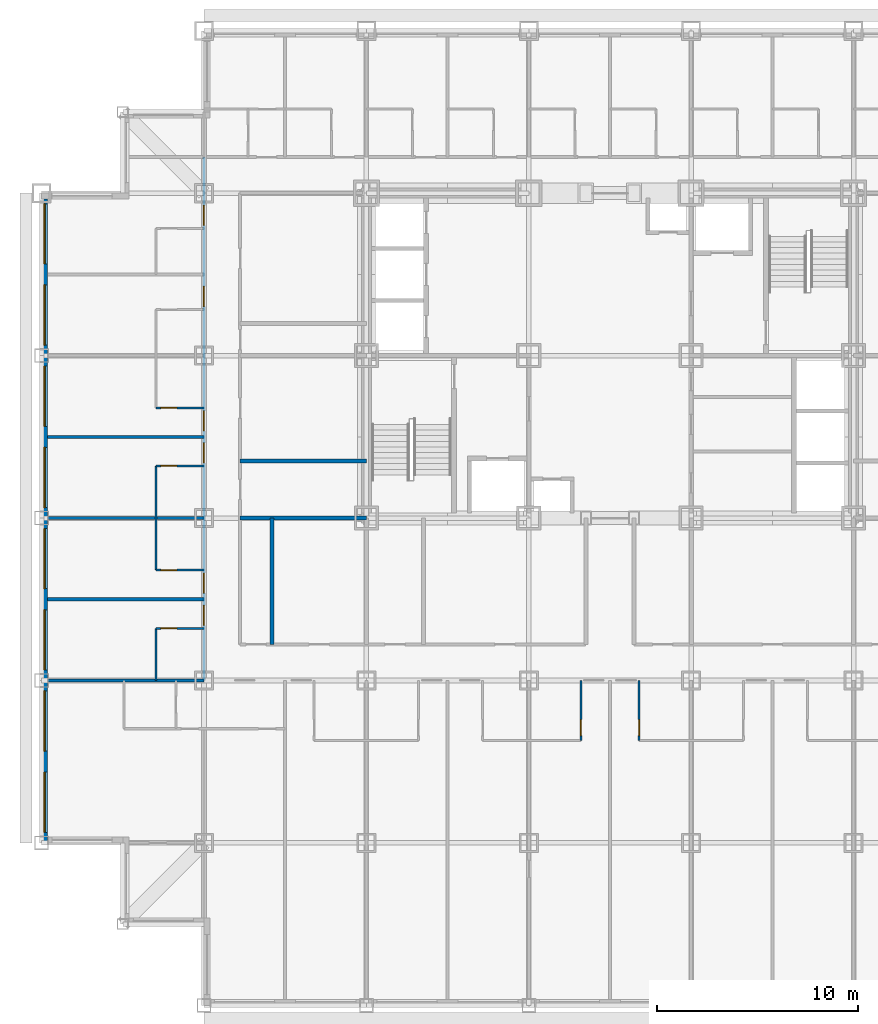
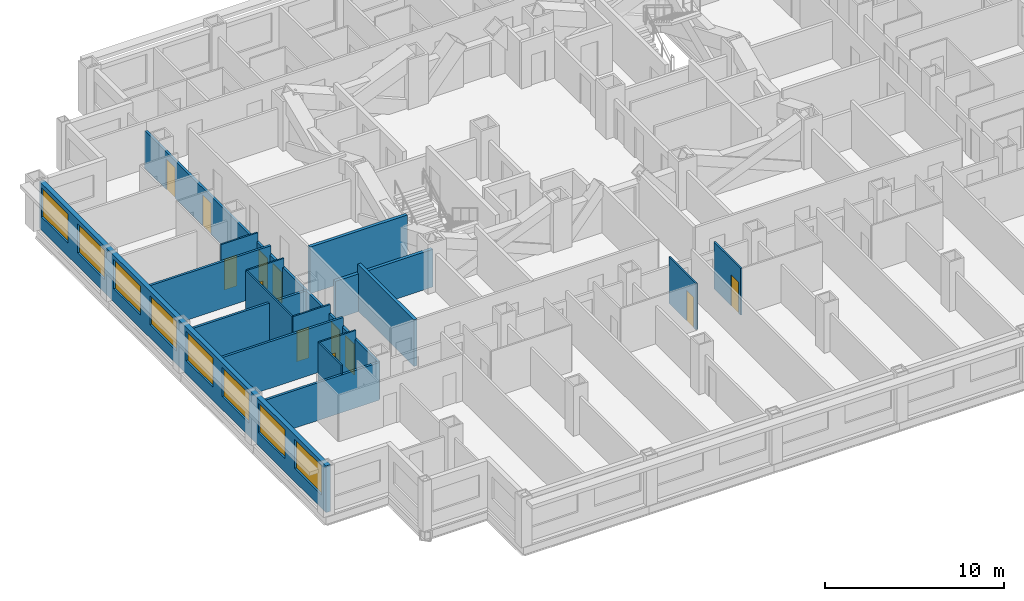
# One storey, part 4 of 12: 17 walls, 12 doors, 8 windows, 20 openings.
"""IFC4 building model written with IfcOpenShell, lengths in metres."""

from ifc_helpers import new_model, si_unit, direction, frame, frame_2d, origin, place, context, subcontext, project, spatial, rectangle, extrude, material, layer, layer_set, type_object, element, fill, save


model = new_model("IFC4")

# Units and contexts
model_context = context("Model", 3, precision=1e-05, world=origin(), true_north=direction((0.0, 1.0)))
body_context = subcontext(model_context, "Body", "Model", "MODEL_VIEW")
ifc_project = project(units=[si_unit("LENGTHUNIT", "METRE"), si_unit("AREAUNIT", "SQUARE_METRE"), si_unit("VOLUMEUNIT", "CUBIC_METRE"), si_unit("PLANEANGLEUNIT", "RADIAN"), si_unit("MASSUNIT", "GRAM", prefix="KILO")], contexts=[model_context])

# Site, building, storey
site_placement = place(None, origin())
site = spatial("IfcSite", under=ifc_project, at=site_placement, CompositionType="ELEMENT")
building_placement = place(site_placement, origin())
building = spatial("IfcBuilding", under=site, at=building_placement, Name="Kopane Lantern Tower", CompositionType="ELEMENT")
storey_placement = place(building_placement, frame((0.0, 0.0, 43.199951171875)))
storey = spatial("IfcBuildingStorey", under=building, at=storey_placement, Name="L09", CompositionType="ELEMENT", Elevation=43.199951171875)

# Wall, opening, door
ifc_material_1 = material(Name="Moisture-resistant board on steel studs", Category="steel")
ifc_layer_1 = layer(ifc_material_1, 0.10009765625)
ifc_layer_set_1 = layer_set([ifc_layer_1], Name="BATHROOM WALL 100")
wall_type_1 = type_object("IfcWallType", Name="BATHROOM WALL 100", PredefinedType="PARTITIONING", material=ifc_layer_set_1)
wall_1_placement = place(storey_placement, frame((26.89990234375, 16.199951171875, 0.0), z_axis=(0.0, 0.0, 1.0), x_axis=(0.0, -1.0, 0.0)))
wall_1 = element("IfcWall", 1, at=wall_1_placement, inside=storey, type_object=wall_type_1, Name="Bathroom Wall 100 L09", PredefinedType="PARTITIONING", context=body_context, shape_type="SweptSolid", body=[
    extrude(rectangle(XDim=3.0, YDim=0.10009765625, at=frame_2d((1.5, 0.0))), origin(), (0.0, 0.0, 1.0), 3.18994140625),
])
opening_1_placement = place(wall_1_placement, frame((1.949951171875, 0.0, 0.0)))
opening_1 = element("IfcOpeningElement", 2, at=opening_1_placement, cuts=wall_1, Name="Opening L09-022", PredefinedType="OPENING", context=body_context, shape_type="SweptSolid", body=[
    extrude(rectangle(XDim=0.800048828125, YDim=2.10009765625, at=frame_2d((0.39990234375, 1.050048828125))), frame((0.0, 0.06005859375, 0.0), z_axis=(0.0, -1.0, 0.0), x_axis=(1.0, 0.0, 0.0)), (0.0, 0.0, 1.0), 0.1201171875),
])
ifc_material_2 = material(Name="Timber door set", Category="wood")
door_type_1 = type_object("IfcDoorType", Name="DOOR D2 800x2100", OperationType="SINGLE_SWING_LEFT", PredefinedType="DOOR", material=ifc_material_2)
door_1_placement = place(opening_1_placement, origin())
door_1 = element("IfcDoor", 3, at=door_1_placement, inside=storey, type_object=door_type_1, Name="Door L09-022", OperationType="SINGLE_SWING_LEFT", OverallHeight=2.10009765625, OverallWidth=0.800048828125, PredefinedType="DOOR", context=body_context, shape_type="SweptSolid", body=[
    extrude(rectangle(XDim=0.800048828125, YDim=2.10009765625, at=frame_2d((0.39990234375, 1.050048828125))), frame((0.0, 0.02490234375, 0.0), z_axis=(0.0, -1.0, 0.0), x_axis=(1.0, 0.0, 0.0)), (0.0, 0.0, 1.0), 0.050048828125),
])
fill(opening_1, door_1)

wall_2_placement = place(storey_placement, frame((29.800048828125, 16.199951171875, 0.0), z_axis=(0.0, 0.0, 1.0), x_axis=(0.0, -1.0, 0.0)))
wall_2 = element("IfcWall", 4, at=wall_2_placement, inside=storey, type_object=wall_type_1, Name="Bathroom Wall 100 L09", PredefinedType="PARTITIONING", context=body_context, shape_type="SweptSolid", body=[
    extrude(rectangle(XDim=3.0, YDim=0.10009765625, at=frame_2d((1.5, 0.0))), origin(), (0.0, 0.0, 1.0), 3.18994140625),
])
opening_2_placement = place(wall_2_placement, frame((1.949951171875, 0.0, 0.0)))
opening_2 = element("IfcOpeningElement", 5, at=opening_2_placement, cuts=wall_2, Name="Opening L09-025", PredefinedType="OPENING", context=body_context, shape_type="SweptSolid", body=[
    extrude(rectangle(XDim=0.800048828125, YDim=2.10009765625, at=frame_2d((0.39990234375, 1.050048828125))), frame((0.0, 0.06005859375, 0.0), z_axis=(0.0, -1.0, 0.0), x_axis=(1.0, 0.0, 0.0)), (0.0, 0.0, 1.0), 0.1201171875),
])
door_2_placement = place(opening_2_placement, origin())
door_2 = element("IfcDoor", 6, at=door_2_placement, inside=storey, type_object=door_type_1, Name="Door L09-025", OperationType="SINGLE_SWING_RIGHT", OverallHeight=2.10009765625, OverallWidth=0.800048828125, PredefinedType="DOOR", context=body_context, shape_type="SweptSolid", body=[
    extrude(rectangle(XDim=0.800048828125, YDim=2.10009765625, at=frame_2d((0.39990234375, 1.050048828125))), frame((0.0, 0.02490234375, 0.0), z_axis=(0.0, -1.0, 0.0), x_axis=(1.0, 0.0, 0.0)), (0.0, 0.0, 1.0), 0.050048828125),
])
fill(opening_2, door_2)

# Wall
wall_3_placement = place(storey_placement, frame((5.699951171875, 16.199951171875, 0.0), z_axis=(0.0, 0.0, 1.0), x_axis=(0.0, 1.0, 0.0)))
element("IfcWall", 7, at=wall_3_placement, inside=storey, type_object=wall_type_1, Name="Bathroom Wall 100 L09", PredefinedType="PARTITIONING", context=body_context, shape_type="SweptSolid", body=[
    extrude(rectangle(XDim=2.60009765625, YDim=0.10009765625, at=frame_2d((1.300048828125, 0.0))), origin(), (0.0, 0.0, 1.0), 3.18994140625),
])

# Wall, opening, door
wall_4_placement = place(storey_placement, frame((8.10009765625, 18.800048828125, 0.0), z_axis=(0.0, 0.0, 1.0), x_axis=(-1.0, 0.0, 0.0)))
wall_4 = element("IfcWall", 8, at=wall_4_placement, inside=storey, type_object=wall_type_1, Name="Bathroom Wall 100 L09", PredefinedType="PARTITIONING", context=body_context, shape_type="SweptSolid", body=[
    extrude(rectangle(XDim=2.400146484375, YDim=0.10009765625, at=frame_2d((1.2001953125, 0.0))), origin(), (0.0, 0.0, 1.0), 3.18994140625),
])
opening_3_placement = place(wall_4_placement, frame((1.35009765625, 0.0, 0.0)))
opening_3 = element("IfcOpeningElement", 9, at=opening_3_placement, cuts=wall_4, Name="Opening L09-049", PredefinedType="OPENING", context=body_context, shape_type="SweptSolid", body=[
    extrude(rectangle(XDim=0.800048828125, YDim=2.10009765625, at=frame_2d((0.39990234375, 1.050048828125))), frame((0.0, 0.06005859375, 0.0), z_axis=(0.0, -1.0, 0.0), x_axis=(1.0, 0.0, 0.0)), (0.0, 0.0, 1.0), 0.1201171875),
])
door_3_placement = place(opening_3_placement, origin())
door_3 = element("IfcDoor", 10, at=door_3_placement, inside=storey, type_object=door_type_1, Name="Door L09-049", OperationType="SINGLE_SWING_RIGHT", OverallHeight=2.10009765625, OverallWidth=0.800048828125, PredefinedType="DOOR", context=body_context, shape_type="SweptSolid", body=[
    extrude(rectangle(XDim=0.800048828125, YDim=2.10009765625, at=frame_2d((0.39990234375, 1.050048828125))), frame((0.0, 0.02490234375, 0.0), z_axis=(0.0, -1.0, 0.0), x_axis=(1.0, 0.0, 0.0)), (0.0, 0.0, 1.0), 0.050048828125),
])
fill(opening_3, door_3)

# Wall
wall_5_placement = place(storey_placement, frame((5.699951171875, 21.699951171875, 0.0), z_axis=(0.0, 0.0, 1.0), x_axis=(0.0, 1.0, 0.0)))
element("IfcWall", 11, at=wall_5_placement, inside=storey, type_object=wall_type_1, Name="Bathroom Wall 100 L09", PredefinedType="PARTITIONING", context=body_context, shape_type="SweptSolid", body=[
    extrude(rectangle(XDim=5.199951171875, YDim=0.10009765625, at=frame_2d((2.60009765625, 0.0))), origin(), (0.0, 0.0, 1.0), 3.18994140625),
])

# Wall, opening, door
wall_6_placement = place(storey_placement, frame((8.10009765625, 21.699951171875, 0.0), z_axis=(0.0, 0.0, 1.0), x_axis=(-1.0, 0.0, 0.0)))
wall_6 = element("IfcWall", 12, at=wall_6_placement, inside=storey, type_object=wall_type_1, Name="Bathroom Wall 100 L09", PredefinedType="PARTITIONING", context=body_context, shape_type="SweptSolid", body=[
    extrude(rectangle(XDim=2.400146484375, YDim=0.10009765625, at=frame_2d((1.2001953125, 0.0))), origin(), (0.0, 0.0, 1.0), 3.18994140625),
])
opening_4_placement = place(wall_6_placement, frame((1.35009765625, 0.0, 0.0)))
opening_4 = element("IfcOpeningElement", 13, at=opening_4_placement, cuts=wall_6, Name="Opening L09-051", PredefinedType="OPENING", context=body_context, shape_type="SweptSolid", body=[
    extrude(rectangle(XDim=0.800048828125, YDim=2.10009765625, at=frame_2d((0.39990234375, 1.050048828125))), frame((0.0, 0.06005859375, 0.0), z_axis=(0.0, -1.0, 0.0), x_axis=(1.0, 0.0, 0.0)), (0.0, 0.0, 1.0), 0.1201171875),
])
door_4_placement = place(opening_4_placement, origin())
door_4 = element("IfcDoor", 14, at=door_4_placement, inside=storey, type_object=door_type_1, Name="Door L09-051", OperationType="SINGLE_SWING_LEFT", OverallHeight=2.10009765625, OverallWidth=0.800048828125, PredefinedType="DOOR", context=body_context, shape_type="SweptSolid", body=[
    extrude(rectangle(XDim=0.800048828125, YDim=2.10009765625, at=frame_2d((0.39990234375, 1.050048828125))), frame((0.0, 0.02490234375, 0.0), z_axis=(0.0, -1.0, 0.0), x_axis=(1.0, 0.0, 0.0)), (0.0, 0.0, 1.0), 0.050048828125),
])
fill(opening_4, door_4)

wall_7_placement = place(storey_placement, frame((8.10009765625, 26.89990234375, 0.0), z_axis=(0.0, 0.0, 1.0), x_axis=(-1.0, 0.0, 0.0)))
wall_7 = element("IfcWall", 15, at=wall_7_placement, inside=storey, type_object=wall_type_1, Name="Bathroom Wall 100 L09", PredefinedType="PARTITIONING", context=body_context, shape_type="SweptSolid", body=[
    extrude(rectangle(XDim=2.400146484375, YDim=0.10009765625, at=frame_2d((1.2001953125, 0.0))), origin(), (0.0, 0.0, 1.0), 3.18994140625),
])
opening_5_placement = place(wall_7_placement, frame((1.35009765625, 0.0, 0.0)))
opening_5 = element("IfcOpeningElement", 16, at=opening_5_placement, cuts=wall_7, Name="Opening L09-053", PredefinedType="OPENING", context=body_context, shape_type="SweptSolid", body=[
    extrude(rectangle(XDim=0.800048828125, YDim=2.10009765625, at=frame_2d((0.39990234375, 1.050048828125))), frame((0.0, 0.06005859375, 0.0), z_axis=(0.0, -1.0, 0.0), x_axis=(1.0, 0.0, 0.0)), (0.0, 0.0, 1.0), 0.1201171875),
])
door_5_placement = place(opening_5_placement, origin())
door_5 = element("IfcDoor", 17, at=door_5_placement, inside=storey, type_object=door_type_1, Name="Door L09-053", OperationType="SINGLE_SWING_RIGHT", OverallHeight=2.10009765625, OverallWidth=0.800048828125, PredefinedType="DOOR", context=body_context, shape_type="SweptSolid", body=[
    extrude(rectangle(XDim=0.800048828125, YDim=2.10009765625, at=frame_2d((0.39990234375, 1.050048828125))), frame((0.0, 0.02490234375, 0.0), z_axis=(0.0, -1.0, 0.0), x_axis=(1.0, 0.0, 0.0)), (0.0, 0.0, 1.0), 0.050048828125),
])
fill(opening_5, door_5)

wall_8_placement = place(storey_placement, frame((8.10009765625, 29.800048828125, 0.0), z_axis=(0.0, 0.0, 1.0), x_axis=(-1.0, 0.0, 0.0)))
wall_8 = element("IfcWall", 18, at=wall_8_placement, inside=storey, type_object=wall_type_1, Name="Bathroom Wall 100 L09", PredefinedType="PARTITIONING", context=body_context, shape_type="SweptSolid", body=[
    extrude(rectangle(XDim=2.400146484375, YDim=0.10009765625, at=frame_2d((1.2001953125, 0.0))), origin(), (0.0, 0.0, 1.0), 3.18994140625),
])
opening_6_placement = place(wall_8_placement, frame((1.35009765625, 0.0, 0.0)))
opening_6 = element("IfcOpeningElement", 19, at=opening_6_placement, cuts=wall_8, Name="Opening L09-055", PredefinedType="OPENING", context=body_context, shape_type="SweptSolid", body=[
    extrude(rectangle(XDim=0.800048828125, YDim=2.10009765625, at=frame_2d((0.39990234375, 1.050048828125))), frame((0.0, 0.06005859375, 0.0), z_axis=(0.0, -1.0, 0.0), x_axis=(1.0, 0.0, 0.0)), (0.0, 0.0, 1.0), 0.1201171875),
])
door_6_placement = place(opening_6_placement, origin())
door_6 = element("IfcDoor", 20, at=door_6_placement, inside=storey, type_object=door_type_1, Name="Door L09-055", OperationType="SINGLE_SWING_LEFT", OverallHeight=2.10009765625, OverallWidth=0.800048828125, PredefinedType="DOOR", context=body_context, shape_type="SweptSolid", body=[
    extrude(rectangle(XDim=0.800048828125, YDim=2.10009765625, at=frame_2d((0.39990234375, 1.050048828125))), frame((0.0, 0.02490234375, 0.0), z_axis=(0.0, -1.0, 0.0), x_axis=(1.0, 0.0, 0.0)), (0.0, 0.0, 1.0), 0.050048828125),
])
fill(opening_6, door_6)

# Wall, openings, doors
ifc_material_3 = material(Name="Gypsum board on steel studs", Category="steel")
ifc_layer_2 = layer(ifc_material_3, 0.14990234375)
ifc_layer_set_2 = layer_set([ifc_layer_2], Name="CORRIDOR WALL 150 EI 60")
wall_type_2 = type_object("IfcWallType", Name="CORRIDOR WALL 150 EI 60", PredefinedType="PARTITIONING", material=ifc_layer_set_2)
wall_9_placement = place(storey_placement, frame((8.10009765625, 16.199951171875, 0.0), z_axis=(0.0, 0.0, 1.0), x_axis=(0.0, 1.0, 0.0)))
wall_9 = element("IfcWall", 21, at=wall_9_placement, inside=storey, type_object=wall_type_2, Name="Corridor Wall 150 Ei 60 L09", PredefinedType="PARTITIONING", context=body_context, shape_type="SweptSolid", body=[
    extrude(rectangle(XDim=26.10009765625, YDim=0.14990234375, at=frame_2d((13.050048828125, 0.0))), origin(), (0.0, 0.0, 1.0), 2.577880859375),
])
opening_7_placement = place(wall_9_placement, frame((2.75, 0.0, 0.0)))
opening_7 = element("IfcOpeningElement", 22, at=opening_7_placement, cuts=wall_9, Name="Opening L09-050", PredefinedType="OPENING", context=body_context, shape_type="SweptSolid", body=[
    extrude(rectangle(XDim=1.0, YDim=2.10009765625, at=frame_2d((0.5, 1.050048828125))), frame((0.0, 0.0849609375, 0.0), z_axis=(0.0, -1.0, 0.0), x_axis=(1.0, 0.0, 0.0)), (0.0, 0.0, 1.0), 0.169921875),
])
opening_8_placement = place(wall_9_placement, frame((4.35009765625, 0.0, 0.0)))
opening_8 = element("IfcOpeningElement", 23, at=opening_8_placement, cuts=wall_9, Name="Opening L09-052", PredefinedType="OPENING", context=body_context, shape_type="SweptSolid", body=[
    extrude(rectangle(XDim=1.0, YDim=2.10009765625, at=frame_2d((0.5, 1.050048828125))), frame((0.0, 0.0849609375, 0.0), z_axis=(0.0, -1.0, 0.0), x_axis=(1.0, 0.0, 0.0)), (0.0, 0.0, 1.0), 0.169921875),
])
opening_9_placement = place(wall_9_placement, frame((10.85009765625, 0.0, 0.0)))
opening_9 = element("IfcOpeningElement", 24, at=opening_9_placement, cuts=wall_9, Name="Opening L09-054", PredefinedType="OPENING", context=body_context, shape_type="SweptSolid", body=[
    extrude(rectangle(XDim=1.0, YDim=2.10009765625, at=frame_2d((0.5, 1.050048828125))), frame((0.0, 0.0849609375, 0.0), z_axis=(0.0, -1.0, 0.0), x_axis=(1.0, 0.0, 0.0)), (0.0, 0.0, 1.0), 0.169921875),
])
opening_10_placement = place(wall_9_placement, frame((12.449951171875, 0.0, 0.0)))
opening_10 = element("IfcOpeningElement", 25, at=opening_10_placement, cuts=wall_9, Name="Opening L09-056", PredefinedType="OPENING", context=body_context, shape_type="SweptSolid", body=[
    extrude(rectangle(XDim=1.0, YDim=2.10009765625, at=frame_2d((0.5, 1.050048828125))), frame((0.0, 0.0849609375, 0.0), z_axis=(0.0, -1.0, 0.0), x_axis=(1.0, 0.0, 0.0)), (0.0, 0.0, 1.0), 0.169921875),
])
opening_11_placement = place(wall_9_placement, frame((18.64990234375, 0.0, 0.0)))
opening_11 = element("IfcOpeningElement", 26, at=opening_11_placement, cuts=wall_9, Name="Opening L09-058", PredefinedType="OPENING", context=body_context, shape_type="SweptSolid", body=[
    extrude(rectangle(XDim=1.0, YDim=2.10009765625, at=frame_2d((0.5, 1.050048828125))), frame((0.0, 0.0849609375, 0.0), z_axis=(0.0, -1.0, 0.0), x_axis=(1.0, 0.0, 0.0)), (0.0, 0.0, 1.0), 0.169921875),
])
opening_12_placement = place(wall_9_placement, frame((22.699951171875, 0.0, 0.0)))
opening_12 = element("IfcOpeningElement", 27, at=opening_12_placement, cuts=wall_9, Name="Opening L09-060", PredefinedType="OPENING", context=body_context, shape_type="SweptSolid", body=[
    extrude(rectangle(XDim=1.0, YDim=2.10009765625, at=frame_2d((0.5, 1.050048828125))), frame((0.0, 0.0849609375, 0.0), z_axis=(0.0, -1.0, 0.0), x_axis=(1.0, 0.0, 0.0)), (0.0, 0.0, 1.0), 0.169921875),
])
ifc_material_4 = material(Name="Steel door set", Category="steel")
door_type_2 = type_object("IfcDoorType", Name="DOOR D1 1000x2100 FD30S", OperationType="SINGLE_SWING_LEFT", PredefinedType="DOOR", material=ifc_material_4)
door_7_placement = place(opening_7_placement, origin())
door_7 = element("IfcDoor", 28, at=door_7_placement, inside=storey, type_object=door_type_2, Name="Door L09-050", OperationType="SINGLE_SWING_LEFT", OverallHeight=2.10009765625, OverallWidth=1.0, PredefinedType="DOOR", context=body_context, shape_type="SweptSolid", body=[
    extrude(rectangle(XDim=1.0, YDim=2.10009765625, at=frame_2d((0.5, 1.050048828125))), frame((0.0, 0.02490234375, 0.0), z_axis=(0.0, -1.0, 0.0), x_axis=(1.0, 0.0, 0.0)), (0.0, 0.0, 1.0), 0.050048828125),
])
fill(opening_7, door_7)
door_8_placement = place(opening_8_placement, origin())
door_8 = element("IfcDoor", 29, at=door_8_placement, inside=storey, type_object=door_type_2, Name="Door L09-052", OperationType="SINGLE_SWING_RIGHT", OverallHeight=2.10009765625, OverallWidth=1.0, PredefinedType="DOOR", context=body_context, shape_type="SweptSolid", body=[
    extrude(rectangle(XDim=1.0, YDim=2.10009765625, at=frame_2d((0.5, 1.050048828125))), frame((0.0, 0.02490234375, 0.0), z_axis=(0.0, -1.0, 0.0), x_axis=(1.0, 0.0, 0.0)), (0.0, 0.0, 1.0), 0.050048828125),
])
fill(opening_8, door_8)
door_9_placement = place(opening_9_placement, origin())
door_9 = element("IfcDoor", 30, at=door_9_placement, inside=storey, type_object=door_type_2, Name="Door L09-054", OperationType="SINGLE_SWING_LEFT", OverallHeight=2.10009765625, OverallWidth=1.0, PredefinedType="DOOR", context=body_context, shape_type="SweptSolid", body=[
    extrude(rectangle(XDim=1.0, YDim=2.10009765625, at=frame_2d((0.5, 1.050048828125))), frame((0.0, 0.02490234375, 0.0), z_axis=(0.0, -1.0, 0.0), x_axis=(1.0, 0.0, 0.0)), (0.0, 0.0, 1.0), 0.050048828125),
])
fill(opening_9, door_9)
door_10_placement = place(opening_10_placement, origin())
door_10 = element("IfcDoor", 31, at=door_10_placement, inside=storey, type_object=door_type_2, Name="Door L09-056", OperationType="SINGLE_SWING_RIGHT", OverallHeight=2.10009765625, OverallWidth=1.0, PredefinedType="DOOR", context=body_context, shape_type="SweptSolid", body=[
    extrude(rectangle(XDim=1.0, YDim=2.10009765625, at=frame_2d((0.5, 1.050048828125))), frame((0.0, 0.02490234375, 0.0), z_axis=(0.0, -1.0, 0.0), x_axis=(1.0, 0.0, 0.0)), (0.0, 0.0, 1.0), 0.050048828125),
])
fill(opening_10, door_10)
door_11_placement = place(opening_11_placement, origin())
door_11 = element("IfcDoor", 32, at=door_11_placement, inside=storey, type_object=door_type_2, Name="Door L09-058", OperationType="SINGLE_SWING_LEFT", OverallHeight=2.10009765625, OverallWidth=1.0, PredefinedType="DOOR", context=body_context, shape_type="SweptSolid", body=[
    extrude(rectangle(XDim=1.0, YDim=2.10009765625, at=frame_2d((0.5, 1.050048828125))), frame((0.0, 0.02490234375, 0.0), z_axis=(0.0, -1.0, 0.0), x_axis=(1.0, 0.0, 0.0)), (0.0, 0.0, 1.0), 0.050048828125),
])
fill(opening_11, door_11)
door_12_placement = place(opening_12_placement, origin())
door_12 = element("IfcDoor", 33, at=door_12_placement, inside=storey, type_object=door_type_2, Name="Door L09-060", OperationType="SINGLE_SWING_LEFT", OverallHeight=2.10009765625, OverallWidth=1.0, PredefinedType="DOOR", context=body_context, shape_type="SweptSolid", body=[
    extrude(rectangle(XDim=1.0, YDim=2.10009765625, at=frame_2d((0.5, 1.050048828125))), frame((0.0, 0.02490234375, 0.0), z_axis=(0.0, -1.0, 0.0), x_axis=(1.0, 0.0, 0.0)), (0.0, 0.0, 1.0), 0.050048828125),
])
fill(opening_12, door_12)

# Walls
ifc_material_5 = material(Name="Gypsum board on steel studs", Category="steel")
ifc_layer_3 = layer(ifc_material_5, 0.14990234375)
ifc_layer_set_3 = layer_set([ifc_layer_3], Name="DEMISING WALL 150 EI 60")
wall_type_3 = type_object("IfcWallType", Name="DEMISING WALL 150 EI 60", PredefinedType="PARTITIONING", material=ifc_layer_set_3)
wall_10_placement = place(storey_placement, frame((8.10009765625, 20.25, 0.0), z_axis=(0.0, 0.0, 1.0), x_axis=(-1.0, 0.0, 0.0)))
element("IfcWall", 34, at=wall_10_placement, inside=storey, type_object=wall_type_3, Name="Demising Wall 150 Ei 60 L09", PredefinedType="PARTITIONING", context=body_context, shape_type="SweptSolid", body=[
    extrude(rectangle(XDim=7.800048828125, YDim=0.14990234375, at=frame_2d((3.89990234375, 0.0))), origin(), (0.0, 0.0, 1.0), 3.18994140625),
])
wall_11_placement = place(storey_placement, frame((8.10009765625, 24.300048828125, 0.0), z_axis=(0.0, 0.0, 1.0), x_axis=(-1.0, 0.0, 0.0)))
element("IfcWall", 35, at=wall_11_placement, inside=storey, type_object=wall_type_3, Name="Demising Wall 150 Ei 60 L09", PredefinedType="PARTITIONING", context=body_context, shape_type="SweptSolid", body=[
    extrude(rectangle(XDim=7.800048828125, YDim=0.14990234375, at=frame_2d((3.89990234375, 0.0))), origin(), (0.0, 0.0, 1.0), 2.577880859375),
])
wall_12_placement = place(storey_placement, frame((8.10009765625, 28.35009765625, 0.0), z_axis=(0.0, 0.0, 1.0), x_axis=(-1.0, 0.0, 0.0)))
element("IfcWall", 36, at=wall_12_placement, inside=storey, type_object=wall_type_3, Name="Demising Wall 150 Ei 60 L09", PredefinedType="PARTITIONING", context=body_context, shape_type="SweptSolid", body=[
    extrude(rectangle(XDim=7.800048828125, YDim=0.14990234375, at=frame_2d((3.89990234375, 0.0))), origin(), (0.0, 0.0, 1.0), 3.18994140625),
])
wall_13_placement = place(storey_placement, frame((0.300048828125, 16.199951171875, 0.0), z_axis=(0.0, 0.0, 1.0), x_axis=(1.0, 0.0, 0.0)))
element("IfcWall", 37, at=wall_13_placement, inside=storey, type_object=wall_type_3, Name="Demising Wall 150 Ei 60 L09", PredefinedType="PARTITIONING", context=body_context, shape_type="SweptSolid", body=[
    extrude(rectangle(XDim=7.800048828125, YDim=0.14990234375, at=frame_2d((3.89990234375, 0.0))), origin(), (0.0, 0.0, 1.0), 2.577880859375),
])

# Wall, openings, windows
ifc_material_6 = material(Name="Terracotta rainscreen on light steel framing", Category="masonry")
ifc_layer_4 = layer(ifc_material_6, 0.300048828125)
ifc_layer_set_4 = layer_set([ifc_layer_4], Name="EXTERNAL WALL EW1 300 TERRACOTTA")
wall_type_4 = type_object("IfcWallType", Name="EXTERNAL WALL EW1 300 TERRACOTTA", PredefinedType="SOLIDWALL", material=ifc_layer_set_4)
wall_14_placement = place(storey_placement, frame((0.14990234375, 40.199951171875, 0.0), z_axis=(0.0, 0.0, 1.0), x_axis=(0.0, -1.0, 0.0)))
wall_14 = element("IfcWall", 38, at=wall_14_placement, inside=storey, type_object=wall_type_4, Name="External wall W L09", PredefinedType="SOLIDWALL", context=body_context, shape_type="SweptSolid", body=[
    extrude(rectangle(XDim=32.099853515625, YDim=0.300048828125, at=frame_2d((16.0498046875, 0.0))), origin(), (0.0, 0.0, 1.0), 3.18994140625),
])
opening_13_placement = place(wall_14_placement, frame((0.22509765625, 0.0, 0.89990234375)))
opening_13 = element("IfcOpeningElement", 39, at=opening_13_placement, cuts=wall_14, Name="Opening WR300200", PredefinedType="OPENING", context=body_context, shape_type="SweptSolid", body=[
    extrude(rectangle(XDim=3.0, YDim=2.0, at=frame_2d((1.5, 1.0))), frame((0.0, 0.159912109375, 0.0), z_axis=(0.0, -1.0, 0.0), x_axis=(1.0, 0.0, 0.0)), (0.0, 0.0, 1.0), 0.320068359375),
])
opening_14_placement = place(wall_14_placement, frame((4.27490234375, 0.0, 0.89990234375)))
opening_14 = element("IfcOpeningElement", 40, at=opening_14_placement, cuts=wall_14, Name="Opening WR300200", PredefinedType="OPENING", context=body_context, shape_type="SweptSolid", body=[
    extrude(rectangle(XDim=3.0, YDim=2.0, at=frame_2d((1.5, 1.0))), frame((0.0, 0.159912109375, 0.0), z_axis=(0.0, -1.0, 0.0), x_axis=(1.0, 0.0, 0.0)), (0.0, 0.0, 1.0), 0.320068359375),
])
opening_15_placement = place(wall_14_placement, frame((8.324951171875, 0.0, 0.89990234375)))
opening_15 = element("IfcOpeningElement", 41, at=opening_15_placement, cuts=wall_14, Name="Opening WR300200", PredefinedType="OPENING", context=body_context, shape_type="SweptSolid", body=[
    extrude(rectangle(XDim=3.0, YDim=2.0, at=frame_2d((1.5, 1.0))), frame((0.0, 0.159912109375, 0.0), z_axis=(0.0, -1.0, 0.0), x_axis=(1.0, 0.0, 0.0)), (0.0, 0.0, 1.0), 0.320068359375),
])
opening_16_placement = place(wall_14_placement, frame((12.375, 0.0, 0.89990234375)))
opening_16 = element("IfcOpeningElement", 42, at=opening_16_placement, cuts=wall_14, Name="Opening WR300200", PredefinedType="OPENING", context=body_context, shape_type="SweptSolid", body=[
    extrude(rectangle(XDim=3.0, YDim=2.0, at=frame_2d((1.5, 1.0))), frame((0.0, 0.159912109375, 0.0), z_axis=(0.0, -1.0, 0.0), x_axis=(1.0, 0.0, 0.0)), (0.0, 0.0, 1.0), 0.320068359375),
])
opening_17_placement = place(wall_14_placement, frame((16.425048828125, 0.0, 0.89990234375)))
opening_17 = element("IfcOpeningElement", 43, at=opening_17_placement, cuts=wall_14, Name="Opening WR300200", PredefinedType="OPENING", context=body_context, shape_type="SweptSolid", body=[
    extrude(rectangle(XDim=3.0, YDim=2.0, at=frame_2d((1.5, 1.0))), frame((0.0, 0.159912109375, 0.0), z_axis=(0.0, -1.0, 0.0), x_axis=(1.0, 0.0, 0.0)), (0.0, 0.0, 1.0), 0.320068359375),
])
opening_18_placement = place(wall_14_placement, frame((20.47509765625, 0.0, 0.89990234375)))
opening_18 = element("IfcOpeningElement", 44, at=opening_18_placement, cuts=wall_14, Name="Opening WR300200", PredefinedType="OPENING", context=body_context, shape_type="SweptSolid", body=[
    extrude(rectangle(XDim=3.0, YDim=2.0, at=frame_2d((1.5, 1.0))), frame((0.0, 0.159912109375, 0.0), z_axis=(0.0, -1.0, 0.0), x_axis=(1.0, 0.0, 0.0)), (0.0, 0.0, 1.0), 0.320068359375),
])
opening_19_placement = place(wall_14_placement, frame((24.52490234375, 0.0, 0.89990234375)))
opening_19 = element("IfcOpeningElement", 45, at=opening_19_placement, cuts=wall_14, Name="Opening WR300200", PredefinedType="OPENING", context=body_context, shape_type="SweptSolid", body=[
    extrude(rectangle(XDim=3.0, YDim=2.0, at=frame_2d((1.5, 1.0))), frame((0.0, 0.159912109375, 0.0), z_axis=(0.0, -1.0, 0.0), x_axis=(1.0, 0.0, 0.0)), (0.0, 0.0, 1.0), 0.320068359375),
])
opening_20_placement = place(wall_14_placement, frame((28.574951171875, 0.0, 0.89990234375)))
opening_20 = element("IfcOpeningElement", 46, at=opening_20_placement, cuts=wall_14, Name="Opening WR300200", PredefinedType="OPENING", context=body_context, shape_type="SweptSolid", body=[
    extrude(rectangle(XDim=3.0, YDim=2.0, at=frame_2d((1.5, 1.0))), frame((0.0, 0.159912109375, 0.0), z_axis=(0.0, -1.0, 0.0), x_axis=(1.0, 0.0, 0.0)), (0.0, 0.0, 1.0), 0.320068359375),
])
ifc_material_7 = material(Name="Aluminium and clear glass", Category="aluminium")
window_type = type_object("IfcWindowType", Name="RIBBON WINDOW WR300200 3000x2000", PartitioningType="SINGLE_PANEL", PredefinedType="WINDOW", material=ifc_material_7)
window_1_placement = place(opening_13_placement, origin())
window_1 = element("IfcWindow", 47, at=window_1_placement, inside=storey, type_object=window_type, Name="Window W L09", OverallHeight=2.0, OverallWidth=3.0, PartitioningType="SINGLE_PANEL", PredefinedType="WINDOW", context=body_context, shape_type="SweptSolid", body=[
    extrude(rectangle(XDim=3.0, YDim=2.0, at=frame_2d((1.5, 1.0))), frame((0.0, 0.030029296875, 0.0), z_axis=(0.0, -1.0, 0.0), x_axis=(1.0, 0.0, 0.0)), (0.0, 0.0, 1.0), 0.06005859375),
])
fill(opening_13, window_1)
window_2_placement = place(opening_14_placement, origin())
window_2 = element("IfcWindow", 48, at=window_2_placement, inside=storey, type_object=window_type, Name="Window W L09", OverallHeight=2.0, OverallWidth=3.0, PartitioningType="SINGLE_PANEL", PredefinedType="WINDOW", context=body_context, shape_type="SweptSolid", body=[
    extrude(rectangle(XDim=3.0, YDim=2.0, at=frame_2d((1.5, 1.0))), frame((0.0, 0.030029296875, 0.0), z_axis=(0.0, -1.0, 0.0), x_axis=(1.0, 0.0, 0.0)), (0.0, 0.0, 1.0), 0.06005859375),
])
fill(opening_14, window_2)
window_3_placement = place(opening_15_placement, origin())
window_3 = element("IfcWindow", 49, at=window_3_placement, inside=storey, type_object=window_type, Name="Window W L09", OverallHeight=2.0, OverallWidth=3.0, PartitioningType="SINGLE_PANEL", PredefinedType="WINDOW", context=body_context, shape_type="SweptSolid", body=[
    extrude(rectangle(XDim=3.0, YDim=2.0, at=frame_2d((1.5, 1.0))), frame((0.0, 0.030029296875, 0.0), z_axis=(0.0, -1.0, 0.0), x_axis=(1.0, 0.0, 0.0)), (0.0, 0.0, 1.0), 0.06005859375),
])
fill(opening_15, window_3)
window_4_placement = place(opening_16_placement, origin())
window_4 = element("IfcWindow", 50, at=window_4_placement, inside=storey, type_object=window_type, Name="Window W L09", OverallHeight=2.0, OverallWidth=3.0, PartitioningType="SINGLE_PANEL", PredefinedType="WINDOW", context=body_context, shape_type="SweptSolid", body=[
    extrude(rectangle(XDim=3.0, YDim=2.0, at=frame_2d((1.5, 1.0))), frame((0.0, 0.030029296875, 0.0), z_axis=(0.0, -1.0, 0.0), x_axis=(1.0, 0.0, 0.0)), (0.0, 0.0, 1.0), 0.06005859375),
])
fill(opening_16, window_4)
window_5_placement = place(opening_17_placement, origin())
window_5 = element("IfcWindow", 51, at=window_5_placement, inside=storey, type_object=window_type, Name="Window W L09", OverallHeight=2.0, OverallWidth=3.0, PartitioningType="SINGLE_PANEL", PredefinedType="WINDOW", context=body_context, shape_type="SweptSolid", body=[
    extrude(rectangle(XDim=3.0, YDim=2.0, at=frame_2d((1.5, 1.0))), frame((0.0, 0.030029296875, 0.0), z_axis=(0.0, -1.0, 0.0), x_axis=(1.0, 0.0, 0.0)), (0.0, 0.0, 1.0), 0.06005859375),
])
fill(opening_17, window_5)
window_6_placement = place(opening_18_placement, origin())
window_6 = element("IfcWindow", 52, at=window_6_placement, inside=storey, type_object=window_type, Name="Window W L09", OverallHeight=2.0, OverallWidth=3.0, PartitioningType="SINGLE_PANEL", PredefinedType="WINDOW", context=body_context, shape_type="SweptSolid", body=[
    extrude(rectangle(XDim=3.0, YDim=2.0, at=frame_2d((1.5, 1.0))), frame((0.0, 0.030029296875, 0.0), z_axis=(0.0, -1.0, 0.0), x_axis=(1.0, 0.0, 0.0)), (0.0, 0.0, 1.0), 0.06005859375),
])
fill(opening_18, window_6)
window_7_placement = place(opening_19_placement, origin())
window_7 = element("IfcWindow", 53, at=window_7_placement, inside=storey, type_object=window_type, Name="Window W L09", OverallHeight=2.0, OverallWidth=3.0, PartitioningType="SINGLE_PANEL", PredefinedType="WINDOW", context=body_context, shape_type="SweptSolid", body=[
    extrude(rectangle(XDim=3.0, YDim=2.0, at=frame_2d((1.5, 1.0))), frame((0.0, 0.030029296875, 0.0), z_axis=(0.0, -1.0, 0.0), x_axis=(1.0, 0.0, 0.0)), (0.0, 0.0, 1.0), 0.06005859375),
])
fill(opening_19, window_7)
window_8_placement = place(opening_20_placement, origin())
window_8 = element("IfcWindow", 54, at=window_8_placement, inside=storey, type_object=window_type, Name="Window W L09", OverallHeight=2.0, OverallWidth=3.0, PartitioningType="SINGLE_PANEL", PredefinedType="WINDOW", context=body_context, shape_type="SweptSolid", body=[
    extrude(rectangle(XDim=3.0, YDim=2.0, at=frame_2d((1.5, 1.0))), frame((0.0, 0.030029296875, 0.0), z_axis=(0.0, -1.0, 0.0), x_axis=(1.0, 0.0, 0.0)), (0.0, 0.0, 1.0), 0.06005859375),
])
fill(opening_20, window_8)

# Walls
ifc_material_8 = material(Name="Concrete masonry", Category="masonry")
ifc_layer_5 = layer(ifc_material_8, 0.199951171875)
ifc_layer_set_5 = layer_set([ifc_layer_5], Name="PLANT ROOM WALL 200 EI 120")
wall_type_5 = type_object("IfcWallType", Name="PLANT ROOM WALL 200 EI 120", PredefinedType="SOLIDWALL", material=ifc_layer_set_5)
for number, where, z_axis, x_axis, name in (
    (55, (9.89990234375, 27.156982421875, 0.0), (0.0, 0.0, 1.0), (1.0, 0.0, 0.0), "Plant Room Wall 200 Ei 120 L09"),
    (56, (11.5, 18.0, 0.0), (0.0, 0.0, 1.0), (0.0, 1.0, 0.0), "Plant Room Wall 200 Ei 120 L09"),
):
    element("IfcWall", number, at=place(storey_placement, frame(where, z_axis=z_axis, x_axis=x_axis)), inside=storey, type_object=wall_type_5, Name=name, PredefinedType="SOLIDWALL", context=body_context, shape_type="SweptSolid", body=[
        extrude(rectangle(XDim=6.300048828125, YDim=0.199951171875, at=frame_2d((3.14990234375, 0.0))), origin(), (0.0, 0.0, 1.0), 3.18994140625),
    ])
wall_15_placement = place(storey_placement, frame((9.89990234375, 24.300048828125, 0.0), z_axis=(0.0, 0.0, 1.0), x_axis=(1.0, 0.0, 0.0)))
element("IfcWall", 57, at=wall_15_placement, inside=storey, type_object=wall_type_5, Name="Plant Room Wall 200 Ei 120 L09", PredefinedType="SOLIDWALL", context=body_context, shape_type="SweptSolid", body=[
    extrude(rectangle(XDim=6.300048828125, YDim=0.199951171875, at=frame_2d((3.14990234375, 0.0))), origin(), (0.0, 0.0, 1.0), 2.577880859375),
])

save(model, "model.ifc")
